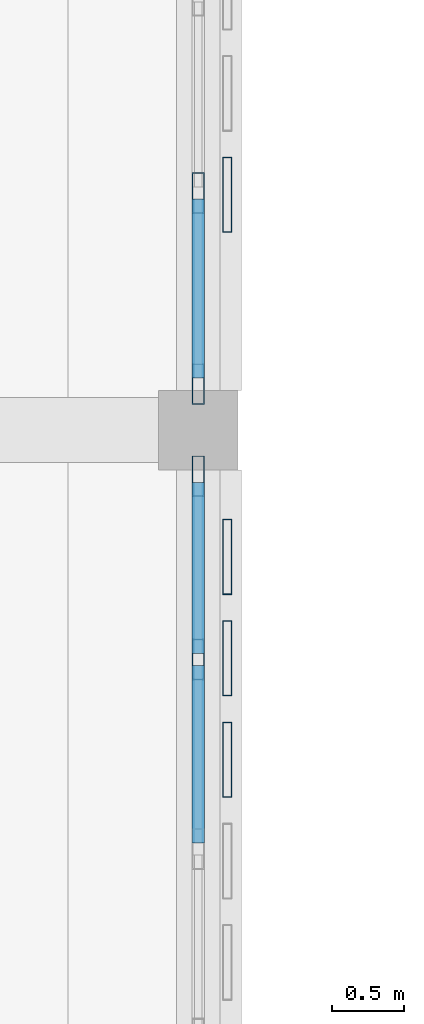
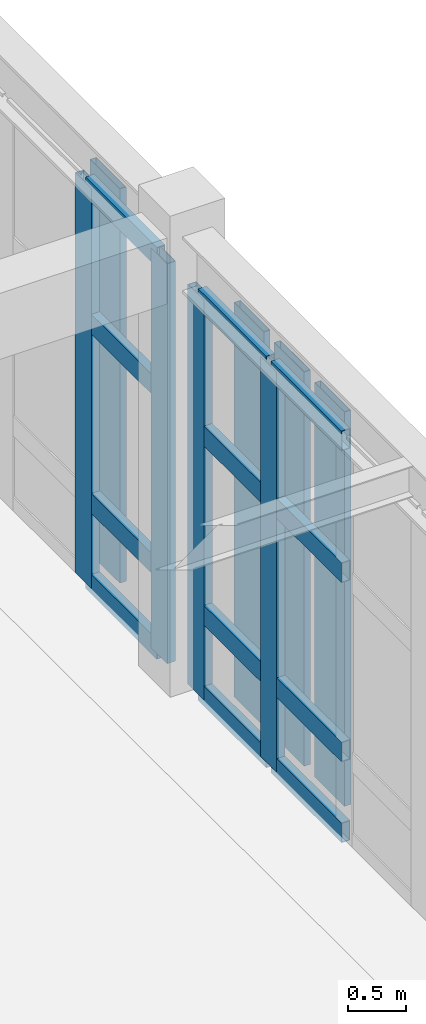
# One storey, part 30 of 77: 20 members, 2 elements without a shape of their own.
"""IFC4 building model written with IfcOpenShell, lengths in metres."""

from ifc_helpers import new_model, si_unit, direction, frame, origin, origin_2d, place, context, subcontext, project, spatial, hollow_rectangle, extrude, material, layer, layer_set, material_profile, profile_set, type_object, element, aggregate, save


model = new_model("IFC4")

# Units and contexts
model_context = context("Model", 3, precision=1e-05, world=origin(), true_north=direction((0.0, 1.0)))
body_context = subcontext(model_context, "Body", "Model", "MODEL_VIEW")
ifc_project = project(units=[si_unit("LENGTHUNIT", "METRE"), si_unit("AREAUNIT", "SQUARE_METRE"), si_unit("VOLUMEUNIT", "CUBIC_METRE"), si_unit("PLANEANGLEUNIT", "RADIAN"), si_unit("MASSUNIT", "GRAM", prefix="KILO")], contexts=[model_context])

# Site, building, storey
site_placement = place(None, origin())
site = spatial("IfcSite", under=ifc_project, at=site_placement, CompositionType="ELEMENT")
building_placement = place(site_placement, origin())
building = spatial("IfcBuilding", under=site, at=building_placement, Name="Krzemoval Escarpment Law Courts", CompositionType="ELEMENT")
storey_placement = place(building_placement, frame((0.0, 0.0, 15.300048828125)))
storey = spatial("IfcBuildingStorey", under=building, at=storey_placement, Name="L03", CompositionType="ELEMENT", Elevation=15.300048828125)

# Curtain wall, members
ifc_material_1 = material(Name="Aluminium 6063-T6", Category="aluminium")
ifc_layer = layer(ifc_material_1, 0.280029296875)
ifc_layer_set = layer_set([ifc_layer], Name="Aluminium 6063-T6")
curtain_wall_type = type_object("IfcCurtainWallType", Name="CW-HALL-5100", PredefinedType="USERDEFINED", material=ifc_layer_set)
curtain_wall_1_placement = place(storey_placement, origin())
curtain_wall_1 = element("IfcCurtainWall", 1, at=curtain_wall_1_placement, inside=storey, type_object=curtain_wall_type, Name="Unitised Curtain Wall FCW-L03-105", ObjectType="UNITISED_CURTAIN_WALL", PredefinedType="USERDEFINED")
ifc_material_2 = material(Name="Aluminium 6063-T6", Category="aluminium")
ifc_material_profile_1 = material_profile(ifc_material_2, hollow_rectangle(XDim=0.0849609375, YDim=0.280029296875, WallThickness=0.005615234375, at=origin_2d()), Name="ALU M85x280")
ifc_profile_set_1 = profile_set([ifc_material_profile_1], Name="Aluminium 6063-T6")
member_type_1 = type_object("IfcMemberType", Name="CWM-85x280", PredefinedType="MULLION", material=ifc_profile_set_1)
member_1_placement = place(storey_placement, frame((42.0, 95.237548828125, 0.0), z_axis=(0.0, 0.0, 1.0), x_axis=(1.0, 0.0, 0.0)))
member_1 = element("IfcMember", 2, at=member_1_placement, type_object=member_type_1, Name="FCW-L03-105 mullion 4", PredefinedType="MULLION", context=body_context, shape_type="SweptSolid", body=[
    extrude(hollow_rectangle(XDim=0.0849609375, YDim=0.280029296875, WallThickness=0.005615234375, at=origin_2d()), origin(), (0.0, 0.0, 1.0), 4.239990234375),
])
member_2_placement = place(storey_placement, frame((42.0, 93.91748046875, 0.0), z_axis=(0.0, 0.0, 1.0), x_axis=(1.0, 0.0, 0.0)))
member_2 = element("IfcMember", 3, at=member_2_placement, type_object=member_type_1, Name="FCW-L03-105 mullion 5", PredefinedType="MULLION", context=body_context, shape_type="SweptSolid", body=[
    extrude(hollow_rectangle(XDim=0.0849609375, YDim=0.280029296875, WallThickness=0.005615234375, at=origin_2d()), origin(), (0.0, 0.0, 1.0), 4.239990234375),
])

curtain_wall_2_placement = place(storey_placement, origin())
curtain_wall_2 = element("IfcCurtainWall", 4, at=curtain_wall_2_placement, inside=storey, type_object=curtain_wall_type, Name="Unitised Curtain Wall FCW-L03-106", ObjectType="UNITISED_CURTAIN_WALL", PredefinedType="USERDEFINED")
member_3_placement = place(storey_placement, frame((42.0, 93.282470703125, 0.0), z_axis=(0.0, 0.0, 1.0), x_axis=(1.0, 0.0, 0.0)))
member_3 = element("IfcMember", 5, at=member_3_placement, type_object=member_type_1, Name="FCW-L03-106 mullion 1", PredefinedType="MULLION", context=body_context, shape_type="SweptSolid", body=[
    extrude(hollow_rectangle(XDim=0.0849609375, YDim=0.280029296875, WallThickness=0.005615234375, at=origin_2d()), origin(), (0.0, 0.0, 1.0), 4.239990234375),
])
member_4_placement = place(storey_placement, frame((42.0, 92.0166015625, 0.0), z_axis=(0.0, 0.0, 1.0), x_axis=(1.0, 0.0, 0.0)))
member_4 = element("IfcMember", 6, at=member_4_placement, type_object=member_type_1, Name="FCW-L03-106 mullion 2", PredefinedType="MULLION", context=body_context, shape_type="SweptSolid", body=[
    extrude(hollow_rectangle(XDim=0.0849609375, YDim=0.280029296875, WallThickness=0.005615234375, at=origin_2d()), origin(), (0.0, 0.0, 1.0), 4.239990234375),
])

# Member
ifc_material_3 = material(Name="Aluminium 6063-T6", Category="aluminium")
ifc_material_profile_2 = material_profile(ifc_material_3, hollow_rectangle(XDim=0.0849609375, YDim=0.2099609375, WallThickness=0.005615234375, at=origin_2d()), Name="ALU T85x210")
ifc_profile_set_2 = profile_set([ifc_material_profile_2], Name="Aluminium 6063-T6")
member_type_2 = type_object("IfcMemberType", Name="CWT-85x210", PredefinedType="USERDEFINED", material=ifc_profile_set_2)
member_5_placement = place(storey_placement, frame((42.0, 95.195068359375, 0.04248046875), z_axis=(0.0, -1.0, 0.0), x_axis=(1.0, 0.0, 0.0)))
member_5 = element("IfcMember", 7, at=member_5_placement, type_object=member_type_2, Name="FCW-L03-105 transom 4.1", ObjectType="TRANSOM", PredefinedType="USERDEFINED", context=body_context, shape_type="SweptSolid", body=[
    extrude(hollow_rectangle(XDim=0.0849609375, YDim=0.2099609375, WallThickness=0.005615234375, at=origin_2d()), origin(), (0.0, 0.0, 1.0), 1.235107421875),
])

member_6_placement = place(storey_placement, frame((42.0, 95.195068359375, 0.89990234375), z_axis=(0.0, -1.0, 0.0), x_axis=(1.0, 0.0, 0.0)))
member_6 = element("IfcMember", 8, at=member_6_placement, type_object=member_type_2, Name="FCW-L03-105 transom 4.2", ObjectType="TRANSOM", PredefinedType="USERDEFINED", context=body_context, shape_type="SweptSolid", body=[
    extrude(hollow_rectangle(XDim=0.0849609375, YDim=0.2099609375, WallThickness=0.005615234375, at=origin_2d()), origin(), (0.0, 0.0, 1.0), 1.235107421875),
])

member_7_placement = place(storey_placement, frame((42.0, 95.195068359375, 2.800048828125), z_axis=(0.0, -1.0, 0.0), x_axis=(1.0, 0.0, 0.0)))
member_7 = element("IfcMember", 9, at=member_7_placement, type_object=member_type_2, Name="FCW-L03-105 transom 4.3", ObjectType="TRANSOM", PredefinedType="USERDEFINED", context=body_context, shape_type="SweptSolid", body=[
    extrude(hollow_rectangle(XDim=0.0849609375, YDim=0.2099609375, WallThickness=0.005615234375, at=origin_2d()), origin(), (0.0, 0.0, 1.0), 1.235107421875),
])

member_8_placement = place(storey_placement, frame((42.0, 95.195068359375, 4.197509765625), z_axis=(0.0, -1.0, 0.0), x_axis=(1.0, 0.0, 0.0)))
member_8 = element("IfcMember", 10, at=member_8_placement, type_object=member_type_2, Name="FCW-L03-105 transom 4.4", ObjectType="TRANSOM", PredefinedType="USERDEFINED", context=body_context, shape_type="SweptSolid", body=[
    extrude(hollow_rectangle(XDim=0.0849609375, YDim=0.2099609375, WallThickness=0.005615234375, at=origin_2d()), origin(), (0.0, 0.0, 1.0), 1.235107421875),
])

aggregate(curtain_wall_1, [member_1, member_2, member_5, member_6, member_7, member_8])

member_9_placement = place(storey_placement, frame((42.0, 93.239990234375, 0.04248046875), z_axis=(0.0, -1.0, 0.0), x_axis=(1.0, 0.0, 0.0)))
member_9 = element("IfcMember", 11, at=member_9_placement, type_object=member_type_2, Name="FCW-L03-106 transom 1.1", ObjectType="TRANSOM", PredefinedType="USERDEFINED", context=body_context, shape_type="SweptSolid", body=[
    extrude(hollow_rectangle(XDim=0.0849609375, YDim=0.2099609375, WallThickness=0.005615234375, at=origin_2d()), origin(), (0.0, 0.0, 1.0), 1.180908203125),
])

member_10_placement = place(storey_placement, frame((42.0, 93.239990234375, 0.89990234375), z_axis=(0.0, -1.0, 0.0), x_axis=(1.0, 0.0, 0.0)))
member_10 = element("IfcMember", 12, at=member_10_placement, type_object=member_type_2, Name="FCW-L03-106 transom 1.2", ObjectType="TRANSOM", PredefinedType="USERDEFINED", context=body_context, shape_type="SweptSolid", body=[
    extrude(hollow_rectangle(XDim=0.0849609375, YDim=0.2099609375, WallThickness=0.005615234375, at=origin_2d()), origin(), (0.0, 0.0, 1.0), 1.180908203125),
])

member_11_placement = place(storey_placement, frame((42.0, 93.239990234375, 2.800048828125), z_axis=(0.0, -1.0, 0.0), x_axis=(1.0, 0.0, 0.0)))
member_11 = element("IfcMember", 13, at=member_11_placement, type_object=member_type_2, Name="FCW-L03-106 transom 1.3", ObjectType="TRANSOM", PredefinedType="USERDEFINED", context=body_context, shape_type="SweptSolid", body=[
    extrude(hollow_rectangle(XDim=0.0849609375, YDim=0.2099609375, WallThickness=0.005615234375, at=origin_2d()), origin(), (0.0, 0.0, 1.0), 1.180908203125),
])

member_12_placement = place(storey_placement, frame((42.0, 93.239990234375, 4.197509765625), z_axis=(0.0, -1.0, 0.0), x_axis=(1.0, 0.0, 0.0)))
member_12 = element("IfcMember", 14, at=member_12_placement, type_object=member_type_2, Name="FCW-L03-106 transom 1.4", ObjectType="TRANSOM", PredefinedType="USERDEFINED", context=body_context, shape_type="SweptSolid", body=[
    extrude(hollow_rectangle(XDim=0.0849609375, YDim=0.2099609375, WallThickness=0.005615234375, at=origin_2d()), origin(), (0.0, 0.0, 1.0), 1.180908203125),
])

member_13_placement = place(storey_placement, frame((42.0, 91.97412109375, 0.04248046875), z_axis=(0.0, -1.0, 0.0), x_axis=(1.0, 0.0, 0.0)))
member_13 = element("IfcMember", 15, at=member_13_placement, type_object=member_type_2, Name="FCW-L03-106 transom 2.1", ObjectType="TRANSOM", PredefinedType="USERDEFINED", context=body_context, shape_type="SweptSolid", body=[
    extrude(hollow_rectangle(XDim=0.0849609375, YDim=0.2099609375, WallThickness=0.005615234375, at=origin_2d()), origin(), (0.0, 0.0, 1.0), 1.223388671875),
])

member_14_placement = place(storey_placement, frame((42.0, 91.97412109375, 0.89990234375), z_axis=(0.0, -1.0, 0.0), x_axis=(1.0, 0.0, 0.0)))
member_14 = element("IfcMember", 16, at=member_14_placement, type_object=member_type_2, Name="FCW-L03-106 transom 2.2", ObjectType="TRANSOM", PredefinedType="USERDEFINED", context=body_context, shape_type="SweptSolid", body=[
    extrude(hollow_rectangle(XDim=0.0849609375, YDim=0.2099609375, WallThickness=0.005615234375, at=origin_2d()), origin(), (0.0, 0.0, 1.0), 1.223388671875),
])

member_15_placement = place(storey_placement, frame((42.0, 91.97412109375, 2.800048828125), z_axis=(0.0, -1.0, 0.0), x_axis=(1.0, 0.0, 0.0)))
member_15 = element("IfcMember", 17, at=member_15_placement, type_object=member_type_2, Name="FCW-L03-106 transom 2.3", ObjectType="TRANSOM", PredefinedType="USERDEFINED", context=body_context, shape_type="SweptSolid", body=[
    extrude(hollow_rectangle(XDim=0.0849609375, YDim=0.2099609375, WallThickness=0.005615234375, at=origin_2d()), origin(), (0.0, 0.0, 1.0), 1.223388671875),
])

member_16_placement = place(storey_placement, frame((42.0, 91.97412109375, 4.197509765625), z_axis=(0.0, -1.0, 0.0), x_axis=(1.0, 0.0, 0.0)))
member_16 = element("IfcMember", 18, at=member_16_placement, type_object=member_type_2, Name="FCW-L03-106 transom 2.4", ObjectType="TRANSOM", PredefinedType="USERDEFINED", context=body_context, shape_type="SweptSolid", body=[
    extrude(hollow_rectangle(XDim=0.0849609375, YDim=0.2099609375, WallThickness=0.005615234375, at=origin_2d()), origin(), (0.0, 0.0, 1.0), 1.223388671875),
])

aggregate(curtain_wall_2, [member_3, member_4, member_9, member_10, member_11, member_12, member_13, member_14, member_15, member_16])

# Members
ifc_material_4 = material(Name="Anodised Aluminium Alloy 6063-T6", Category="aluminium")
ifc_material_profile_3 = material_profile(ifc_material_4, hollow_rectangle(XDim=0.06494140625, YDim=0.52001953125, WallThickness=0.00439453125, at=origin_2d()), Name="ALU LVR 65x520")
ifc_profile_set_3 = profile_set([ifc_material_profile_3], Name="Anodised Aluminium Alloy 6063-T6")
member_type_3 = type_object("IfcMemberType", Name="LVR-ALU-520", PredefinedType="USERDEFINED", material=ifc_profile_set_3)
for number, where, z_axis, x_axis, name in (
    (19, (42.199951171875, 95.22509765625, 0.06005859375), (0.0, 0.0, 1.0), (1.0, 0.0, 0.0), "Sunshade Louvre Fin FLV-L03-0697"),
    (20, (42.199951171875, 92.72509765625, 0.06005859375), (0.0, 0.0, 1.0), (1.0, 0.0, 0.0), "Sunshade Louvre Fin FLV-L03-0700"),
    (21, (42.199951171875, 92.02490234375, 0.06005859375), (0.0, 0.0, 1.0), (1.0, 0.0, 0.0), "Sunshade Louvre Fin FLV-L03-0701"),
    (22, (42.199951171875, 91.324951171875, 0.06005859375), (0.0, 0.0, 1.0), (1.0, 0.0, 0.0), "Sunshade Louvre Fin FLV-L03-0702"),
):
    element("IfcMember", number, at=place(storey_placement, frame(where, z_axis=z_axis, x_axis=x_axis)), inside=storey, type_object=member_type_3, Name=name, ObjectType="SUNSHADE_LOUVRE", PredefinedType="USERDEFINED", context=body_context, shape_type="SweptSolid", body=[
        extrude(hollow_rectangle(XDim=0.06494140625, YDim=0.52001953125, WallThickness=0.00439453125, at=origin_2d()), origin(), (0.0, 0.0, 1.0), 4.179931640625),
    ])

save(model, "model.ifc")
